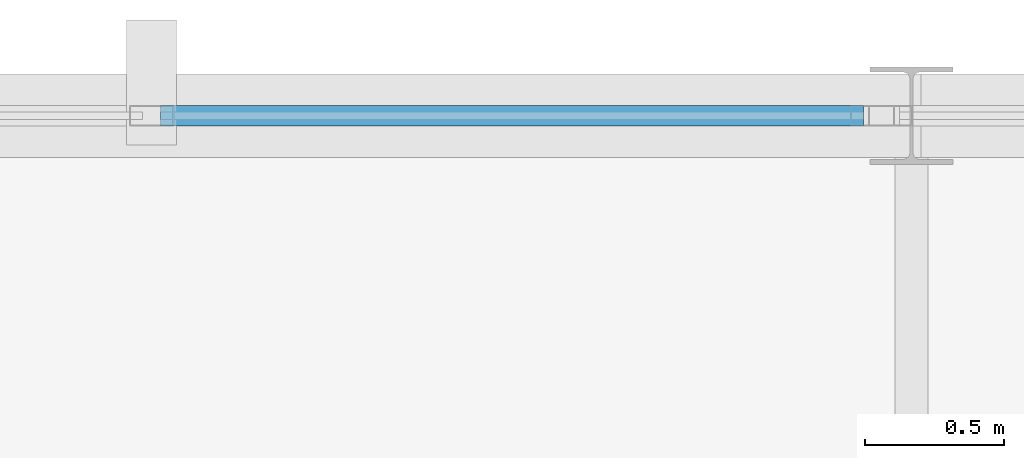
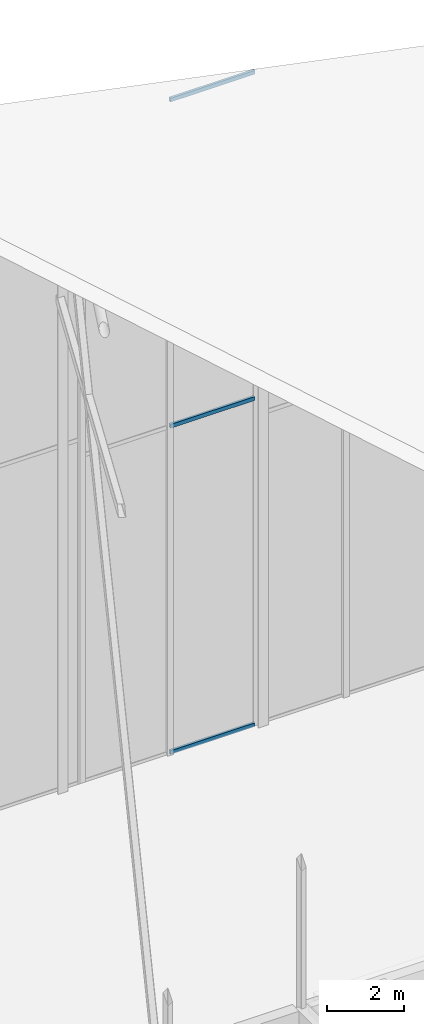
# One storey, part 51 of 74: 3 members, 1 element without a shape of its own.
"""IFC4 building model written with IfcOpenShell, lengths in metres."""

from ifc_helpers import new_model, si_unit, direction, frame, origin, origin_2d, place, context, subcontext, project, spatial, hollow_rectangle, extrude, material, layer, layer_set, material_profile, profile_set, type_object, element, aggregate, save


model = new_model("IFC4")

# Units and contexts
model_context = context("Model", 3, precision=1e-05, world=origin(), true_north=direction((0.0, 1.0)))
body_context = subcontext(model_context, "Body", "Model", "MODEL_VIEW")
ifc_project = project(units=[si_unit("LENGTHUNIT", "METRE"), si_unit("AREAUNIT", "SQUARE_METRE"), si_unit("VOLUMEUNIT", "CUBIC_METRE"), si_unit("PLANEANGLEUNIT", "RADIAN"), si_unit("MASSUNIT", "GRAM", prefix="KILO")], contexts=[model_context])

# Site, building, storey
site_placement = place(None, origin())
site = spatial("IfcSite", under=ifc_project, at=site_placement, CompositionType="ELEMENT")
building_placement = place(site_placement, origin())
building = spatial("IfcBuilding", under=site, at=building_placement, Name="Keshet Zoharim Tower", CompositionType="ELEMENT")
storey_placement = place(building_placement, frame((0.0, 0.0, 320.0)))
storey = spatial("IfcBuildingStorey", under=building, at=storey_placement, Name="RF", CompositionType="ELEMENT", Elevation=320.0)

# Curtain wall, members
ifc_material = material(Name="Aluminium 6063-T6", Category="aluminium")
ifc_layer = layer(ifc_material, 0.260009765625)
ifc_layer_set = layer_set([ifc_layer], Name="Aluminium 6063-T6")
curtain_wall_type = type_object("IfcCurtainWallType", Name="CW-SYS-06", PredefinedType="NOTDEFINED", material=ifc_layer_set)
curtain_wall_placement = place(storey_placement, origin())
curtain_wall = element("IfcCurtainWall", 1, at=curtain_wall_placement, inside=storey, type_object=curtain_wall_type, Name="Slanted Crown Curtain Wall 12", PredefinedType="NOTDEFINED")
ifc_material_profile = material_profile(ifc_material, hollow_rectangle(XDim=0.074951171875, YDim=0.1201171875, WallThickness=0.00390625, at=origin_2d()), Name="TRN-75x120")
ifc_profile_set = profile_set([ifc_material_profile], Name="Aluminium 6063-T6")
member_type = type_object("IfcMemberType", Name="CWT-T12", PredefinedType="USERDEFINED", material=ifc_profile_set)
member_1_placement = place(storey_placement, frame((24.294921875, 53.89990234375, 0.032470703125), z_axis=(1.0, 0.0, 0.0), x_axis=(0.0, 1.0, 0.0)))
member_1 = element("IfcMember", 2, at=member_1_placement, type_object=member_type, Name="CW-06 transom 2.1", ObjectType="TRANSOM", PredefinedType="USERDEFINED", context=body_context, shape_type="SweptSolid", body=[
    extrude(hollow_rectangle(XDim=0.074951171875, YDim=0.1201171875, WallThickness=0.00390625, at=origin_2d()), origin(), (0.0, 0.0, 1.0), 2.531982421875),
])
member_2_placement = place(storey_placement, frame((24.294921875, 53.89990234375, 10.360107421875), z_axis=(1.0, 0.0, 0.0), x_axis=(0.0, 1.0, 0.0)))
member_2 = element("IfcMember", 3, at=member_2_placement, type_object=member_type, Name="CW-06 transom 2.2", ObjectType="TRANSOM", PredefinedType="USERDEFINED", context=body_context, shape_type="SweptSolid", body=[
    extrude(hollow_rectangle(XDim=0.074951171875, YDim=0.1201171875, WallThickness=0.00390625, at=origin_2d()), origin(), (0.0, 0.0, 1.0), 2.531982421875),
])
member_3_placement = place(storey_placement, frame((24.294921875, 53.89990234375, 20.6865234375), z_axis=(1.0, 0.0, 0.0), x_axis=(0.0, 1.0, 0.0)))
member_3 = element("IfcMember", 4, at=member_3_placement, type_object=member_type, Name="CW-06 transom 2.3", ObjectType="TRANSOM", PredefinedType="USERDEFINED", context=body_context, shape_type="SweptSolid", body=[
    extrude(hollow_rectangle(XDim=0.074951171875, YDim=0.1201171875, WallThickness=0.00390625, at=origin_2d()), origin(), (0.0, 0.0, 1.0), 2.531982421875),
])
aggregate(curtain_wall, [member_1, member_2, member_3])

save(model, "model.ifc")
